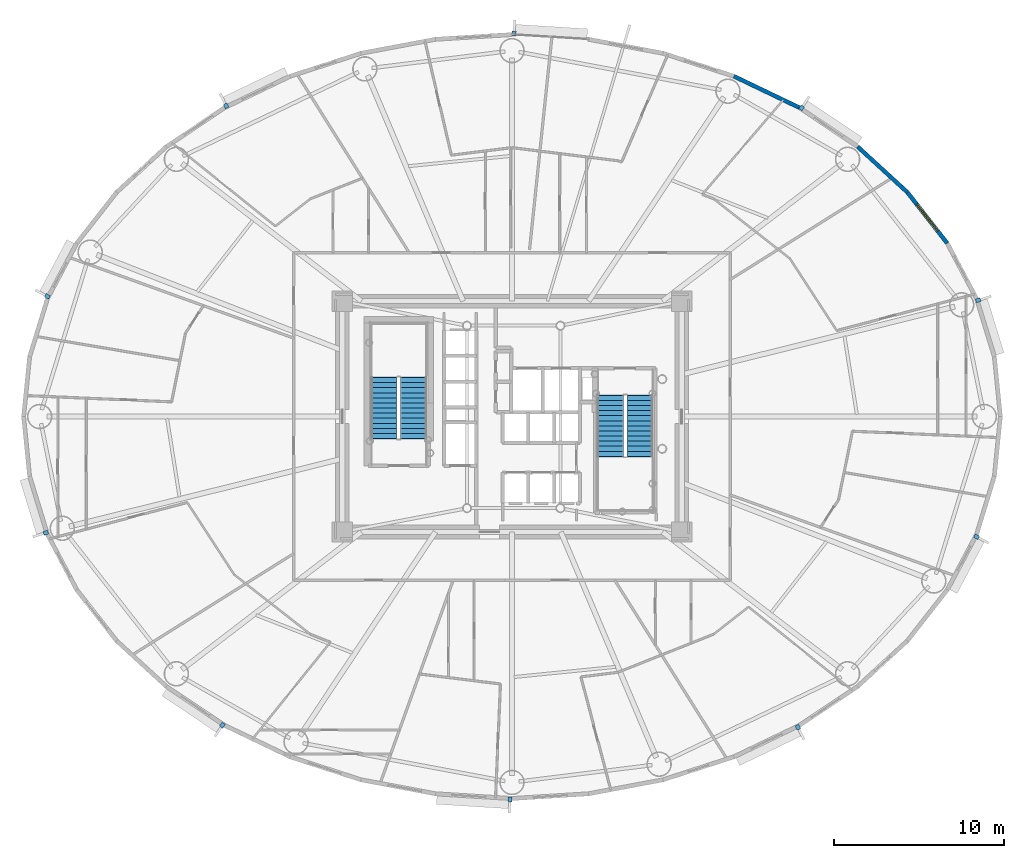
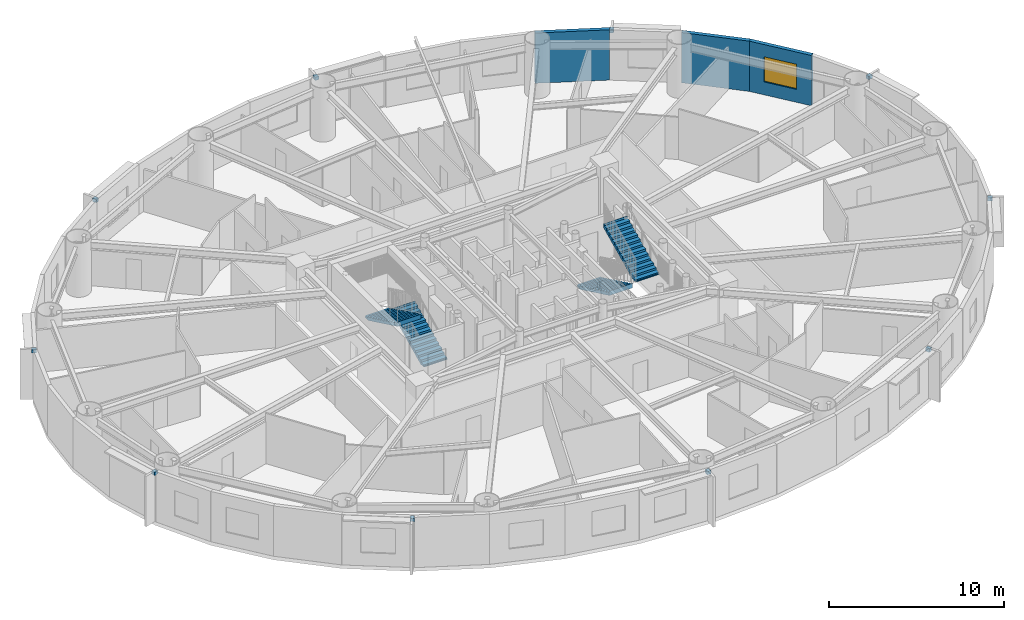
# One storey, part 13 of 18: 10 discrete accessories, 4 stair flights, 3 walls, 1 window, 1 opening, 2 elements without a shape of their own.
"""IFC4 building model written with IfcOpenShell, lengths in metres."""

from ifc_helpers import new_model, si_unit, direction, frame, frame_2d, origin, origin_2d, place, context, subcontext, project, spatial, polyline, rectangle, outline, extrude, source, transform, mapped, material, layer, layer_set, type_object, element, fill, aggregate, save


model = new_model("IFC4")

# Units and contexts
model_context = context("Model", 3, precision=1e-05, world=origin(), true_north=direction((0.0, 1.0)))
body_context = subcontext(model_context, "Body", "Model", "MODEL_VIEW")
ifc_project = project(units=[si_unit("LENGTHUNIT", "METRE"), si_unit("AREAUNIT", "SQUARE_METRE"), si_unit("VOLUMEUNIT", "CUBIC_METRE"), si_unit("PLANEANGLEUNIT", "RADIAN"), si_unit("MASSUNIT", "GRAM", prefix="KILO")], contexts=[model_context])

# Site, building, storey
site_placement = place(None, origin())
site = spatial("IfcSite", under=ifc_project, at=site_placement, CompositionType="ELEMENT")
building_placement = place(site_placement, origin())
building = spatial("IfcBuilding", under=site, at=building_placement, Name="Linh Dai School and Residence Tower", CompositionType="ELEMENT")
storey_placement = place(building_placement, frame((0.0, 0.0, 123.449951171875)))
storey = spatial("IfcBuildingStorey", under=building, at=storey_placement, Name="L29", CompositionType="ELEMENT", Elevation=123.449951171875)

# Wall, opening, window
ifc_material_1 = material(Name="Precast Concrete B45 (C35/45)", Category="concrete")
ifc_layer = layer(ifc_material_1, 0.239990234375)
ifc_layer_set = layer_set([ifc_layer], Name="Precast Concrete B45 (C35/45)")
wall_type = type_object("IfcWallType", Name="EW-TC-240", PredefinedType="SOLIDWALL", material=ifc_layer_set)
wall_1_placement = place(storey_placement, frame((59.2890625, 40.216552734375, 0.0), z_axis=(0.0, 0.0, 1.0), x_axis=(0.616272103517, -0.787533297345, 0.0)))
wall_1 = element("IfcWall", 1, at=wall_1_placement, inside=storey, type_object=wall_type, Name="L29 Terracotta Exterior Wall 04", PredefinedType="SOLIDWALL", context=body_context, shape_type="SweptSolid", body=[
    extrude(rectangle(XDim=3.8232421875, YDim=0.239990234375, at=frame_2d((1.91162109375, 0.0))), origin(), (0.0, 0.0, 1.0), 3.5),
])
opening_placement = place(wall_1_placement, frame((0.91162109375, 0.0, 0.89990234375)))
opening = element("IfcOpeningElement", 2, at=opening_placement, cuts=wall_1, Name="Opening W1", PredefinedType="OPENING", context=body_context, shape_type="SweptSolid", body=[
    extrude(rectangle(XDim=2.0, YDim=1.75, at=origin_2d()), frame((1.0, 0.1298828125, 0.875), z_axis=(0.0, -1.0, 0.0), x_axis=(1.0, 0.0, 0.0)), (0.0, 0.0, 1.0), 0.260009765625),
])
ifc_material_2 = material(Name="Double Low-E Insulated Glazing", Category="glass")
window_type = type_object("IfcWindowType", Name="WN-RES-2000x1750", PartitioningType="DOUBLE_PANEL_VERTICAL", PredefinedType="WINDOW", material=ifc_material_2)
shared_shape_1 = source(origin(), body_context, "Body", "SweptSolid", [
    extrude(rectangle(XDim=2.0, YDim=1.75, at=origin_2d()), frame((1.0, 0.030029296875, 0.875), z_axis=(0.0, -1.0, 0.0), x_axis=(1.0, 0.0, 0.0)), (0.0, 0.0, 1.0), 0.06005859375),
])
window_placement = place(opening_placement, origin())
window = element("IfcWindow", 3, at=window_placement, inside=storey, type_object=window_type, Name="L29 Exterior Window 04.1", OverallHeight=1.75, OverallWidth=2.0, PartitioningType="DOUBLE_PANEL_VERTICAL", PredefinedType="WINDOW", context=body_context, shape_type="MappedRepresentation", body=[
    mapped(shared_shape_1, transform((0.0, 0.0, 0.0), x_axis=(1.0, 0.0, 0.0), y_axis=(0.0, 1.0, 0.0), z_axis=(0.0, 0.0, 1.0), scale=1.0)),
])
fill(opening, window)

# Walls
wall_2_placement = place(storey_placement, frame((56.3583984375, 42.9033203125, 0.0), z_axis=(0.0, 0.0, 1.0), x_axis=(0.737113356241, -0.675769117414, 0.0)))
element("IfcWall", 4, at=wall_2_placement, inside=storey, type_object=wall_type, Name="L29 Terracotta Exterior Wall 05", PredefinedType="SOLIDWALL", context=body_context, shape_type="SweptSolid", body=[
    extrude(rectangle(XDim=3.975830078125, YDim=0.239990234375, at=frame_2d((1.98779296875, 0.0))), origin(), (0.0, 0.0, 1.0), 3.5),
])
wall_3_placement = place(storey_placement, frame((49.073974609375, 47.04736328125, 0.0), z_axis=(0.0, 0.0, 1.0), x_axis=(0.901589935876, -0.432591709962, 0.0)))
element("IfcWall", 5, at=wall_3_placement, inside=storey, type_object=wall_type, Name="L29 Terracotta Exterior Wall 07", PredefinedType="SOLIDWALL", context=body_context, shape_type="SweptSolid", body=[
    extrude(rectangle(XDim=4.271728515625, YDim=0.239990234375, at=frame_2d((2.1357421875, 0.0))), origin(), (0.0, 0.0, 1.0), 3.5),
])

# Stair, stair flights
ifc_material_3 = material(Name="Concrete B45 (C35/45)", Category="concrete")
stair_type = type_object("IfcStairType", Name="ST-DOG-1550-R1442", PredefinedType="HALF_TURN_STAIR", material=ifc_material_3)
stair_1_placement = place(storey_placement, origin())
stair_1 = element("IfcStair", 6, at=stair_1_placement, inside=storey, type_object=stair_type, Name="L29 Core Smokeproof Exit Stair ST1", PredefinedType="HALF_TURN_STAIR")
stair_flight_type = type_object("IfcStairFlightType", Name="STF-STR-1550-R1442", PredefinedType="STRAIGHT", material=ifc_material_3)
shared_shape_2 = source(origin(), body_context, "Body", "SweptSolid", [
    extrude(outline(polyline([(-0.02490234375, 0.0), (-0.02490234375, 0.06005859375), (0.0, 0.06005859375), (0.0, 0.144287109375), (0.300048828125, 0.144287109375), (0.300048828125, 0.28857421875), (0.60009765625, 0.28857421875), (0.60009765625, 0.4326171875), (0.89990234375, 0.4326171875), (0.89990234375, 0.576904296875), (1.199951171875, 0.576904296875), (1.199951171875, 0.72119140625), (1.5, 0.72119140625), (1.5, 0.865478515625), (1.800048828125, 0.865478515625), (1.800048828125, 1.009521484375), (2.10009765625, 1.009521484375), (2.10009765625, 1.15380859375), (2.39990234375, 1.15380859375), (2.39990234375, 1.298095703125), (2.699951171875, 1.298095703125), (2.699951171875, 1.4423828125), (3.0, 1.4423828125), (3.0, 1.58642578125), (3.300048828125, 1.58642578125), (3.300048828125, 1.730712890625), (3.60009765625, 1.730712890625), (3.60009765625, 1.875), (3.625, 1.875), (3.625, 1.564453125), (3.60009765625, 1.564453125), (0.345947265625, 0.0), (-0.02490234375, 0.0)])), frame((0.0, 0.77490234375, 0.0), z_axis=(0.0, -1.0, 0.0), x_axis=(1.0, 0.0, 0.0)), (0.0, 0.0, 1.0), 1.550048828125),
])
stair_flight_1_placement = place(storey_placement, frame((30.205078125, 25.699951171875, 0.0), z_axis=(0.0, 0.0, 1.0), x_axis=(0.0, 1.0, 0.0)))
stair_flight_1 = element("IfcStairFlight", 7, at=stair_flight_1_placement, type_object=stair_flight_type, Name="ST1 flight 1", NumberOfRisers=13, NumberOfTreads=12, PredefinedType="STRAIGHT", RiserHeight=0.144230769, TreadLength=0.3, context=body_context, shape_type="MappedRepresentation", body=[
    mapped(shared_shape_2, transform((0.0, 0.0, 0.0), x_axis=(1.0, 0.0, 0.0), y_axis=(0.0, 1.0, 0.0), z_axis=(0.0, 0.0, 1.0), scale=1.0)),
])
stair_flight_2_placement = place(storey_placement, frame((28.455078125, 29.300048828125, 1.875), z_axis=(0.0, 0.0, 1.0), x_axis=(0.0, -1.0, 0.0)))
stair_flight_2 = element("IfcStairFlight", 8, at=stair_flight_2_placement, type_object=stair_flight_type, Name="ST1 flight 2", NumberOfRisers=13, NumberOfTreads=12, PredefinedType="STRAIGHT", RiserHeight=0.144230769, TreadLength=0.3, context=body_context, shape_type="MappedRepresentation", body=[
    mapped(shared_shape_2, transform((0.0, 0.0, 0.0), x_axis=(1.0, 0.0, 0.0), y_axis=(0.0, 1.0, 0.0), z_axis=(0.0, 0.0, 1.0), scale=1.0)),
])
aggregate(stair_1, [stair_flight_1, stair_flight_2])

stair_2_placement = place(storey_placement, origin())
stair_2 = element("IfcStair", 9, at=stair_2_placement, inside=storey, type_object=stair_type, Name="L29 Core Smokeproof Exit Stair ST2", PredefinedType="HALF_TURN_STAIR")
stair_flight_3_placement = place(storey_placement, frame((41.794921875, 28.25, 0.0), z_axis=(0.0, 0.0, 1.0), x_axis=(0.0, -1.0, 0.0)))
stair_flight_3 = element("IfcStairFlight", 10, at=stair_flight_3_placement, type_object=stair_flight_type, Name="ST2 flight 1", NumberOfRisers=13, NumberOfTreads=12, PredefinedType="STRAIGHT", RiserHeight=0.144230769, TreadLength=0.3, context=body_context, shape_type="MappedRepresentation", body=[
    mapped(shared_shape_2, transform((0.0, 0.0, 0.0), x_axis=(1.0, 0.0, 0.0), y_axis=(0.0, 1.0, 0.0), z_axis=(0.0, 0.0, 1.0), scale=1.0)),
])
stair_flight_4_placement = place(storey_placement, frame((43.544921875, 24.64990234375, 1.875), z_axis=(0.0, 0.0, 1.0), x_axis=(0.0, 1.0, 0.0)))
stair_flight_4 = element("IfcStairFlight", 11, at=stair_flight_4_placement, type_object=stair_flight_type, Name="ST2 flight 2", NumberOfRisers=13, NumberOfTreads=12, PredefinedType="STRAIGHT", RiserHeight=0.144230769, TreadLength=0.3, context=body_context, shape_type="MappedRepresentation", body=[
    mapped(shared_shape_2, transform((0.0, 0.0, 0.0), x_axis=(1.0, 0.0, 0.0), y_axis=(0.0, 1.0, 0.0), z_axis=(0.0, 0.0, 1.0), scale=1.0)),
])
aggregate(stair_2, [stair_flight_3, stair_flight_4])

# Discrete accessories
ifc_material_4 = material(Name="Structural Steel S355JR", Category="steel")
discrete_accessory_type = type_object("IfcDiscreteAccessoryType", Name="ACC-BRK-S355", PredefinedType="BRACKET", material=ifc_material_4)
shared_shape_3 = source(origin(), body_context, "Body", "SweptSolid", [
    extrude(rectangle(XDim=0.280029296875, YDim=0.239990234375, at=origin_2d()), origin(), (0.0, 0.0, 1.0), 0.219970703125),
])
for number, where, z_axis, x_axis, name in (
    (12, (63.462646484375, 33.847900390625, 3.25), (0.0, 0.0, 1.0), (0.956071511028, 0.293133528962, 0.0), "L29 Facade Frame Anchor Bracket 02"),
    (13, (53.058349609375, 45.1826171875, 3.25), (0.0, 0.0, 1.0), (0.555913198527, 0.831240347736, 0.0), "L29 Facade Frame Anchor Bracket 06"),
    (14, (36.12353515625, 49.5576171875, 3.25), (0.0, 0.0, 1.0), (0.061509255091, 0.998106513123, 0.0), "L29 Facade Frame Anchor Bracket 10"),
    (15, (19.156982421875, 45.305419921875, 3.25), (0.0, 0.0, 1.0), (-0.432617589064, 0.901577518371, 0.0), "L29 Facade Frame Anchor Bracket 14"),
    (16, (8.633056640625, 34.079345703125, 3.25), (0.0, 0.0, 1.0), (-0.883942180016, 0.467596217252, 0.0), "L29 Facade Frame Anchor Bracket 18"),
    (17, (8.537353515625, 20.152099609375, 3.25), (0.0, 0.0, 1.0), (-0.956071511028, -0.293133528962, 0.0), "L29 Facade Frame Anchor Bracket 22"),
    (18, (18.941650390625, 8.8173828125, 3.25), (0.0, 0.0, 1.0), (-0.555913198527, -0.831240347736, 0.0), "L29 Facade Frame Anchor Bracket 26"),
    (19, (35.87646484375, 4.4423828125, 3.25), (0.0, 0.0, 1.0), (-0.061509255091, -0.998106513123, 0.0), "L29 Facade Frame Anchor Bracket 30"),
    (20, (52.843017578125, 8.694580078125, 3.25), (0.0, 0.0, 1.0), (0.432617589064, -0.901577518371, 0.0), "L29 Facade Frame Anchor Bracket 34"),
    (21, (63.366943359375, 19.920654296875, 3.25), (0.0, 0.0, 1.0), (0.883942180016, -0.467596217252, 0.0), "L29 Facade Frame Anchor Bracket 38"),
):
    element("IfcDiscreteAccessory", number, at=place(storey_placement, frame(where, z_axis=z_axis, x_axis=x_axis)), inside=storey, type_object=discrete_accessory_type, Name=name, PredefinedType="BRACKET", context=body_context, shape_type="MappedRepresentation", body=[
        mapped(shared_shape_3, transform((0.0, 0.0, 0.0), x_axis=(1.0, 0.0, 0.0), y_axis=(0.0, 1.0, 0.0), z_axis=(0.0, 0.0, 1.0), scale=1.0)),
    ])

save(model, "model.ifc")
